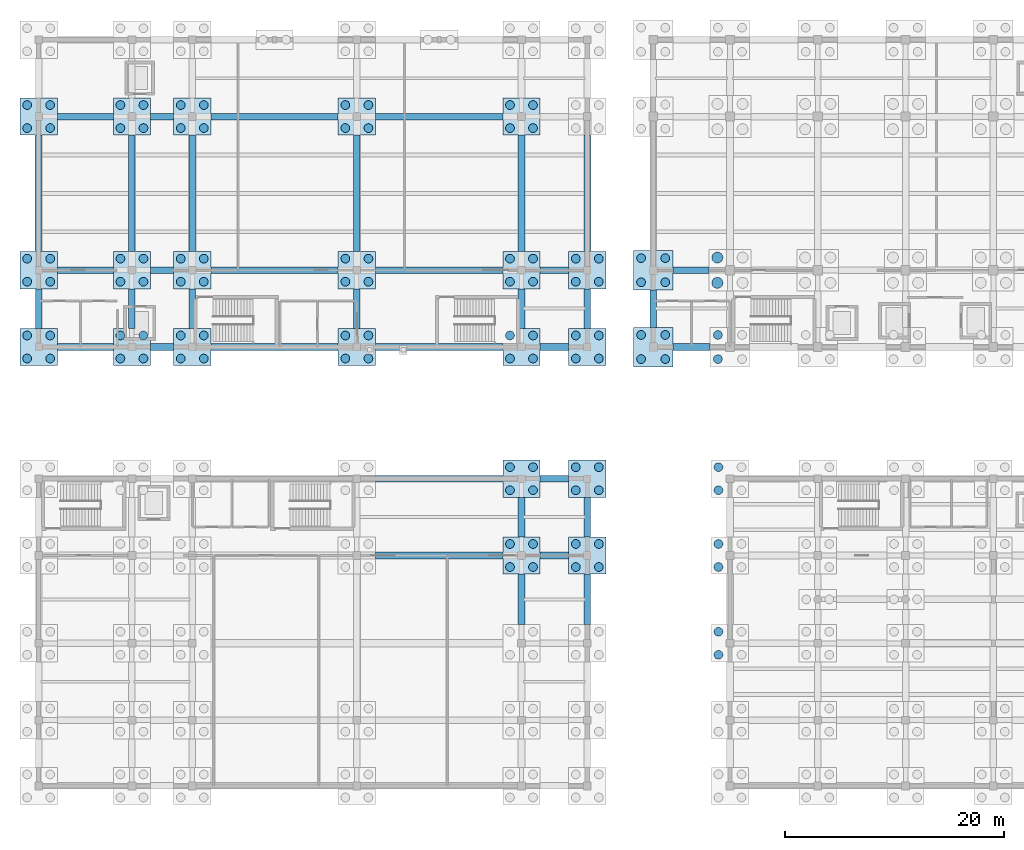
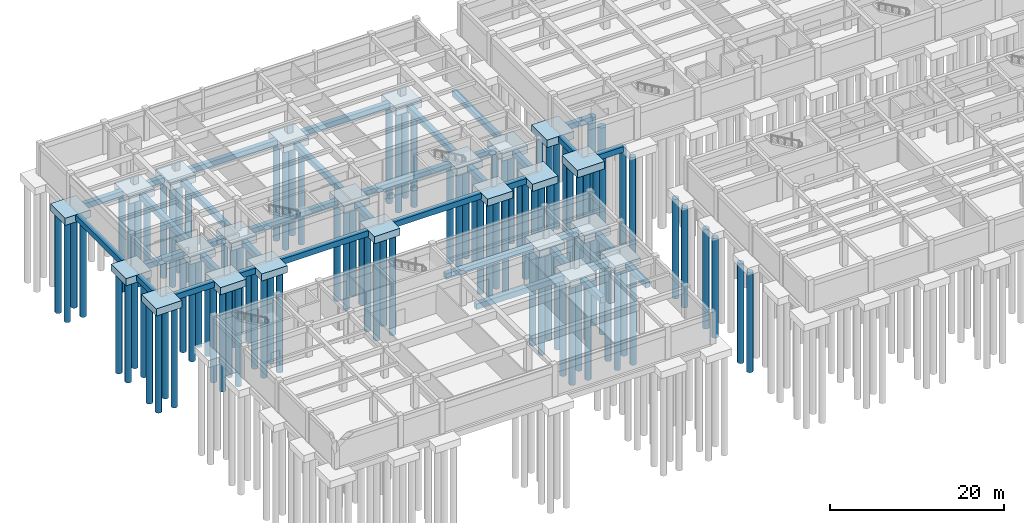
# One storey, part 2 of 28: 102 piles, 60 footings.
"""IFC4 building model written with IfcOpenShell, lengths in metres."""

from ifc_helpers import new_model, si_unit, direction, frame, origin, origin_2d, place, context, subcontext, project, spatial, rectangle, circle, extrude, material, material_profile, profile_set, type_object, element, save


model = new_model("IFC4")

# Units and contexts
model_context = context("Model", 3, precision=1e-05, world=origin(), true_north=direction((0.0, 1.0)))
body_context = subcontext(model_context, "Body", "Model", "MODEL_VIEW")
ifc_project = project(units=[si_unit("LENGTHUNIT", "METRE"), si_unit("AREAUNIT", "SQUARE_METRE"), si_unit("VOLUMEUNIT", "CUBIC_METRE"), si_unit("PLANEANGLEUNIT", "RADIAN"), si_unit("MASSUNIT", "GRAM", prefix="KILO")], contexts=[model_context])

# Site, building, storey
site_placement = place(None, origin())
site = spatial("IfcSite", under=ifc_project, at=site_placement, CompositionType="ELEMENT")
building_placement = place(site_placement, origin())
building = spatial("IfcBuilding", under=site, at=building_placement, Name="Naurynzar Civic Courthouse", CompositionType="ELEMENT")
storey_placement = place(building_placement, frame((0.0, 0.0, -4.5)))
storey = spatial("IfcBuildingStorey", under=building, at=storey_placement, Name="B01", CompositionType="ELEMENT", Elevation=-4.5)

# Footings
ifc_material_1 = material(Name="Concrete C35/45", Category="concrete")
footing_type_1 = type_object("IfcFootingType", Name="CAP-4A-3400", PredefinedType="PILE_CAP", material=ifc_material_1)
for number, where, z_axis, x_axis, name in (
    (1, (6.0, 44.0, -1.39990234375), (0.0, 0.0, 1.0), (1.0, 0.0, 0.0), "V1 pile cap 1"),
    (2, (6.0, 51.0, -1.39990234375), (0.0, 0.0, 1.0), (1.0, 0.0, 0.0), "V1 pile cap 2"),
    (3, (6.0, 65.0, -1.39990234375), (0.0, 0.0, 1.0), (1.0, 0.0, 0.0), "V1 pile cap 3"),
    (4, (14.5, 44.0, -1.39990234375), (0.0, 0.0, 1.0), (1.0, 0.0, 0.0), "V1 pile cap 5"),
    (5, (14.5, 51.0, -1.39990234375), (0.0, 0.0, 1.0), (1.0, 0.0, 0.0), "V1 pile cap 6"),
    (6, (14.5, 65.0, -1.39990234375), (0.0, 0.0, 1.0), (1.0, 0.0, 0.0), "V1 pile cap 7"),
    (7, (20.0, 44.0, -1.39990234375), (0.0, 0.0, 1.0), (1.0, 0.0, 0.0), "V1 pile cap 9"),
    (8, (20.0, 51.0, -1.39990234375), (0.0, 0.0, 1.0), (1.0, 0.0, 0.0), "V1 pile cap 10"),
    (9, (20.0, 65.0, -1.39990234375), (0.0, 0.0, 1.0), (1.0, 0.0, 0.0), "V1 pile cap 11"),
    (10, (35.0, 44.0, -1.39990234375), (0.0, 0.0, 1.0), (1.0, 0.0, 0.0), "V1 pile cap 13"),
    (11, (35.0, 51.0, -1.39990234375), (0.0, 0.0, 1.0), (1.0, 0.0, 0.0), "V1 pile cap 14"),
    (12, (35.0, 65.0, -1.39990234375), (0.0, 0.0, 1.0), (1.0, 0.0, 0.0), "V1 pile cap 15"),
    (13, (50.0, 44.0, -1.39990234375), (0.0, 0.0, 1.0), (1.0, 0.0, 0.0), "V1 pile cap 17"),
    (14, (50.0, 51.0, -1.39990234375), (0.0, 0.0, 1.0), (1.0, 0.0, 0.0), "V1 pile cap 18"),
    (15, (50.0, 65.0, -1.39990234375), (0.0, 0.0, 1.0), (1.0, 0.0, 0.0), "V1 pile cap 19"),
    (16, (56.0, 44.0, -1.39990234375), (0.0, 0.0, 1.0), (1.0, 0.0, 0.0), "V1 pile cap 21"),
    (17, (56.0, 51.0, -1.39990234375), (0.0, 0.0, 1.0), (1.0, 0.0, 0.0), "V1 pile cap 22"),
    (18, (50.0, 25.0, -1.39990234375), (0.0, 0.0, 1.0), (1.0, 0.0, 0.0), "V4 pile cap 23"),
    (19, (50.0, 32.0, -1.39990234375), (0.0, 0.0, 1.0), (1.0, 0.0, 0.0), "V4 pile cap 24"),
    (20, (56.0, 25.0, -1.39990234375), (0.0, 0.0, 1.0), (1.0, 0.0, 0.0), "V4 pile cap 28"),
    (21, (56.0, 32.0, -1.39990234375), (0.0, 0.0, 1.0), (1.0, 0.0, 0.0), "V4 pile cap 29"),
):
    element("IfcFooting", number, at=place(storey_placement, frame(where, z_axis=z_axis, x_axis=x_axis)), inside=storey, type_object=footing_type_1, Name=name, PredefinedType="PILE_CAP", context=body_context, shape_type="SweptSolid", body=[
        extrude(rectangle(XDim=3.39990234375, YDim=3.39990234375, at=origin_2d()), origin(), (0.0, 0.0, 1.0), 1.0),
    ])
ifc_material_2 = material(Name="Concrete C35/45", Category="concrete")
footing_type_2 = type_object("IfcFootingType", Name="CAP-4C-3600", PredefinedType="PILE_CAP", material=ifc_material_2)
for number, where, z_axis, x_axis, name in (
    (22, (62.0, 44.0, -1.5), (0.0, 0.0, 1.0), (1.0, 0.0, 0.0), "V2 pile cap 1"),
    (23, (62.0, 51.0, -1.5), (0.0, 0.0, 1.0), (1.0, 0.0, 0.0), "V2 pile cap 2"),
):
    element("IfcFooting", number, at=place(storey_placement, frame(where, z_axis=z_axis, x_axis=x_axis)), inside=storey, type_object=footing_type_2, Name=name, PredefinedType="PILE_CAP", context=body_context, shape_type="SweptSolid", body=[
        extrude(rectangle(XDim=3.60009765625, YDim=3.60009765625, at=origin_2d()), origin(), (0.0, 0.0, 1.0), 1.050048828125),
    ])
ifc_material_3 = material(Name="Concrete C35/45", Category="concrete")
ifc_material_profile_1 = material_profile(ifc_material_3, rectangle(XDim=0.60009765625, YDim=0.800048828125, at=origin_2d()), Name="GB 600x800")
ifc_profile_set_1 = profile_set([ifc_material_profile_1], Name="Concrete C35/45")
footing_type_3 = type_object("IfcFootingType", Name="GB-600x800", PredefinedType="FOOTING_BEAM", material=ifc_profile_set_1)
footing_1_placement = place(storey_placement, frame((7.699951171875, 44.0, -0.800048828125), z_axis=(1.0, 0.0, 0.0), x_axis=(0.0, 1.0, 0.0)))
element("IfcFooting", 24, at=footing_1_placement, inside=storey, type_object=footing_type_3, Name="V1 ground tie beam X-1", PredefinedType="FOOTING_BEAM", context=body_context, shape_type="SweptSolid", body=[
    extrude(rectangle(XDim=0.60009765625, YDim=0.800048828125, at=origin_2d()), origin(), (0.0, 0.0, 1.0), 5.10009765625),
])
footing_2_placement = place(storey_placement, frame((16.199951171875, 44.0, -0.800048828125), z_axis=(1.0, 0.0, 0.0), x_axis=(0.0, 1.0, 0.0)))
element("IfcFooting", 25, at=footing_2_placement, inside=storey, type_object=footing_type_3, Name="V1 ground tie beam X-2", PredefinedType="FOOTING_BEAM", context=body_context, shape_type="SweptSolid", body=[
    extrude(rectangle(XDim=0.60009765625, YDim=0.800048828125, at=origin_2d()), origin(), (0.0, 0.0, 1.0), 2.10009765625),
])
for number, where, z_axis, x_axis, name in (
    (26, (21.699951171875, 44.0, -0.800048828125), (1.0, 0.0, 0.0), (0.0, 1.0, 0.0), "V1 ground tie beam X-3"),
    (27, (36.699951171875, 44.0, -0.800048828125), (1.0, 0.0, 0.0), (0.0, 1.0, 0.0), "V1 ground tie beam X-4"),
):
    element("IfcFooting", number, at=place(storey_placement, frame(where, z_axis=z_axis, x_axis=x_axis)), inside=storey, type_object=footing_type_3, Name=name, PredefinedType="FOOTING_BEAM", context=body_context, shape_type="SweptSolid", body=[
        extrude(rectangle(XDim=0.60009765625, YDim=0.800048828125, at=origin_2d()), origin(), (0.0, 0.0, 1.0), 11.60009765625),
    ])
footing_3_placement = place(storey_placement, frame((51.699951171875, 44.0, -0.800048828125), z_axis=(1.0, 0.0, 0.0), x_axis=(0.0, 1.0, 0.0)))
element("IfcFooting", 28, at=footing_3_placement, inside=storey, type_object=footing_type_3, Name="V1 ground tie beam X-5", PredefinedType="FOOTING_BEAM", context=body_context, shape_type="SweptSolid", body=[
    extrude(rectangle(XDim=0.60009765625, YDim=0.800048828125, at=origin_2d()), origin(), (0.0, 0.0, 1.0), 2.60009765625),
])
footing_4_placement = place(storey_placement, frame((7.699951171875, 51.0, -0.800048828125), z_axis=(1.0, 0.0, 0.0), x_axis=(0.0, 1.0, 0.0)))
element("IfcFooting", 29, at=footing_4_placement, inside=storey, type_object=footing_type_3, Name="V1 ground tie beam X-6", PredefinedType="FOOTING_BEAM", context=body_context, shape_type="SweptSolid", body=[
    extrude(rectangle(XDim=0.60009765625, YDim=0.800048828125, at=origin_2d()), origin(), (0.0, 0.0, 1.0), 5.10009765625),
])
footing_5_placement = place(storey_placement, frame((16.199951171875, 51.0, -0.800048828125), z_axis=(1.0, 0.0, 0.0), x_axis=(0.0, 1.0, 0.0)))
element("IfcFooting", 30, at=footing_5_placement, inside=storey, type_object=footing_type_3, Name="V1 ground tie beam X-7", PredefinedType="FOOTING_BEAM", context=body_context, shape_type="SweptSolid", body=[
    extrude(rectangle(XDim=0.60009765625, YDim=0.800048828125, at=origin_2d()), origin(), (0.0, 0.0, 1.0), 2.10009765625),
])
for number, where, z_axis, x_axis, name in (
    (31, (21.699951171875, 51.0, -0.800048828125), (1.0, 0.0, 0.0), (0.0, 1.0, 0.0), "V1 ground tie beam X-8"),
    (32, (36.699951171875, 51.0, -0.800048828125), (1.0, 0.0, 0.0), (0.0, 1.0, 0.0), "V1 ground tie beam X-9"),
):
    element("IfcFooting", number, at=place(storey_placement, frame(where, z_axis=z_axis, x_axis=x_axis)), inside=storey, type_object=footing_type_3, Name=name, PredefinedType="FOOTING_BEAM", context=body_context, shape_type="SweptSolid", body=[
        extrude(rectangle(XDim=0.60009765625, YDim=0.800048828125, at=origin_2d()), origin(), (0.0, 0.0, 1.0), 11.60009765625),
    ])
footing_6_placement = place(storey_placement, frame((51.699951171875, 51.0, -0.800048828125), z_axis=(1.0, 0.0, 0.0), x_axis=(0.0, 1.0, 0.0)))
element("IfcFooting", 33, at=footing_6_placement, inside=storey, type_object=footing_type_3, Name="V1 ground tie beam X-10", PredefinedType="FOOTING_BEAM", context=body_context, shape_type="SweptSolid", body=[
    extrude(rectangle(XDim=0.60009765625, YDim=0.800048828125, at=origin_2d()), origin(), (0.0, 0.0, 1.0), 2.60009765625),
])
footing_7_placement = place(storey_placement, frame((7.699951171875, 65.0, -0.800048828125), z_axis=(1.0, 0.0, 0.0), x_axis=(0.0, 1.0, 0.0)))
element("IfcFooting", 34, at=footing_7_placement, inside=storey, type_object=footing_type_3, Name="V1 ground tie beam X-11", PredefinedType="FOOTING_BEAM", context=body_context, shape_type="SweptSolid", body=[
    extrude(rectangle(XDim=0.60009765625, YDim=0.800048828125, at=origin_2d()), origin(), (0.0, 0.0, 1.0), 5.10009765625),
])
footing_8_placement = place(storey_placement, frame((16.199951171875, 65.0, -0.800048828125), z_axis=(1.0, 0.0, 0.0), x_axis=(0.0, 1.0, 0.0)))
element("IfcFooting", 35, at=footing_8_placement, inside=storey, type_object=footing_type_3, Name="V1 ground tie beam X-12", PredefinedType="FOOTING_BEAM", context=body_context, shape_type="SweptSolid", body=[
    extrude(rectangle(XDim=0.60009765625, YDim=0.800048828125, at=origin_2d()), origin(), (0.0, 0.0, 1.0), 2.10009765625),
])
for number, where, z_axis, x_axis, name in (
    (36, (21.699951171875, 65.0, -0.800048828125), (1.0, 0.0, 0.0), (0.0, 1.0, 0.0), "V1 ground tie beam X-13"),
    (37, (36.699951171875, 65.0, -0.800048828125), (1.0, 0.0, 0.0), (0.0, 1.0, 0.0), "V1 ground tie beam X-14"),
):
    element("IfcFooting", number, at=place(storey_placement, frame(where, z_axis=z_axis, x_axis=x_axis)), inside=storey, type_object=footing_type_3, Name=name, PredefinedType="FOOTING_BEAM", context=body_context, shape_type="SweptSolid", body=[
        extrude(rectangle(XDim=0.60009765625, YDim=0.800048828125, at=origin_2d()), origin(), (0.0, 0.0, 1.0), 11.60009765625),
    ])
footing_9_placement = place(storey_placement, frame((6.0, 45.699951171875, -0.800048828125), z_axis=(0.0, 1.0, 0.0), x_axis=(-1.0, 0.0, 0.0)))
element("IfcFooting", 38, at=footing_9_placement, inside=storey, type_object=footing_type_3, Name="V1 ground tie beam Y-23", PredefinedType="FOOTING_BEAM", context=body_context, shape_type="SweptSolid", body=[
    extrude(rectangle(XDim=0.60009765625, YDim=0.800048828125, at=origin_2d()), origin(), (0.0, 0.0, 1.0), 3.60009765625),
])
footing_10_placement = place(storey_placement, frame((6.0, 52.699951171875, -0.800048828125), z_axis=(0.0, 1.0, 0.0), x_axis=(-1.0, 0.0, 0.0)))
element("IfcFooting", 39, at=footing_10_placement, inside=storey, type_object=footing_type_3, Name="V1 ground tie beam Y-24", PredefinedType="FOOTING_BEAM", context=body_context, shape_type="SweptSolid", body=[
    extrude(rectangle(XDim=0.60009765625, YDim=0.800048828125, at=origin_2d()), origin(), (0.0, 0.0, 1.0), 10.60009765625),
])
footing_11_placement = place(storey_placement, frame((14.5, 45.699951171875, -0.800048828125), z_axis=(0.0, 1.0, 0.0), x_axis=(-1.0, 0.0, 0.0)))
element("IfcFooting", 40, at=footing_11_placement, inside=storey, type_object=footing_type_3, Name="V1 ground tie beam Y-26", PredefinedType="FOOTING_BEAM", context=body_context, shape_type="SweptSolid", body=[
    extrude(rectangle(XDim=0.60009765625, YDim=0.800048828125, at=origin_2d()), origin(), (0.0, 0.0, 1.0), 3.60009765625),
])
footing_12_placement = place(storey_placement, frame((14.5, 52.699951171875, -0.800048828125), z_axis=(0.0, 1.0, 0.0), x_axis=(-1.0, 0.0, 0.0)))
element("IfcFooting", 41, at=footing_12_placement, inside=storey, type_object=footing_type_3, Name="V1 ground tie beam Y-27", PredefinedType="FOOTING_BEAM", context=body_context, shape_type="SweptSolid", body=[
    extrude(rectangle(XDim=0.60009765625, YDim=0.800048828125, at=origin_2d()), origin(), (0.0, 0.0, 1.0), 10.60009765625),
])
footing_13_placement = place(storey_placement, frame((20.0, 45.699951171875, -0.800048828125), z_axis=(0.0, 1.0, 0.0), x_axis=(-1.0, 0.0, 0.0)))
element("IfcFooting", 42, at=footing_13_placement, inside=storey, type_object=footing_type_3, Name="V1 ground tie beam Y-29", PredefinedType="FOOTING_BEAM", context=body_context, shape_type="SweptSolid", body=[
    extrude(rectangle(XDim=0.60009765625, YDim=0.800048828125, at=origin_2d()), origin(), (0.0, 0.0, 1.0), 3.60009765625),
])
footing_14_placement = place(storey_placement, frame((20.0, 52.699951171875, -0.800048828125), z_axis=(0.0, 1.0, 0.0), x_axis=(-1.0, 0.0, 0.0)))
element("IfcFooting", 43, at=footing_14_placement, inside=storey, type_object=footing_type_3, Name="V1 ground tie beam Y-30", PredefinedType="FOOTING_BEAM", context=body_context, shape_type="SweptSolid", body=[
    extrude(rectangle(XDim=0.60009765625, YDim=0.800048828125, at=origin_2d()), origin(), (0.0, 0.0, 1.0), 10.60009765625),
])
footing_15_placement = place(storey_placement, frame((35.0, 45.699951171875, -0.800048828125), z_axis=(0.0, 1.0, 0.0), x_axis=(-1.0, 0.0, 0.0)))
element("IfcFooting", 44, at=footing_15_placement, inside=storey, type_object=footing_type_3, Name="V1 ground tie beam Y-32", PredefinedType="FOOTING_BEAM", context=body_context, shape_type="SweptSolid", body=[
    extrude(rectangle(XDim=0.60009765625, YDim=0.800048828125, at=origin_2d()), origin(), (0.0, 0.0, 1.0), 3.60009765625),
])
footing_16_placement = place(storey_placement, frame((35.0, 52.699951171875, -0.800048828125), z_axis=(0.0, 1.0, 0.0), x_axis=(-1.0, 0.0, 0.0)))
element("IfcFooting", 45, at=footing_16_placement, inside=storey, type_object=footing_type_3, Name="V1 ground tie beam Y-33", PredefinedType="FOOTING_BEAM", context=body_context, shape_type="SweptSolid", body=[
    extrude(rectangle(XDim=0.60009765625, YDim=0.800048828125, at=origin_2d()), origin(), (0.0, 0.0, 1.0), 10.60009765625),
])
footing_17_placement = place(storey_placement, frame((50.0, 45.699951171875, -0.800048828125), z_axis=(0.0, 1.0, 0.0), x_axis=(-1.0, 0.0, 0.0)))
element("IfcFooting", 46, at=footing_17_placement, inside=storey, type_object=footing_type_3, Name="V1 ground tie beam Y-35", PredefinedType="FOOTING_BEAM", context=body_context, shape_type="SweptSolid", body=[
    extrude(rectangle(XDim=0.60009765625, YDim=0.800048828125, at=origin_2d()), origin(), (0.0, 0.0, 1.0), 3.60009765625),
])
footing_18_placement = place(storey_placement, frame((50.0, 52.699951171875, -0.800048828125), z_axis=(0.0, 1.0, 0.0), x_axis=(-1.0, 0.0, 0.0)))
element("IfcFooting", 47, at=footing_18_placement, inside=storey, type_object=footing_type_3, Name="V1 ground tie beam Y-36", PredefinedType="FOOTING_BEAM", context=body_context, shape_type="SweptSolid", body=[
    extrude(rectangle(XDim=0.60009765625, YDim=0.800048828125, at=origin_2d()), origin(), (0.0, 0.0, 1.0), 10.60009765625),
])
footing_19_placement = place(storey_placement, frame((56.0, 45.699951171875, -0.800048828125), z_axis=(0.0, 1.0, 0.0), x_axis=(-1.0, 0.0, 0.0)))
element("IfcFooting", 48, at=footing_19_placement, inside=storey, type_object=footing_type_3, Name="V1 ground tie beam Y-38", PredefinedType="FOOTING_BEAM", context=body_context, shape_type="SweptSolid", body=[
    extrude(rectangle(XDim=0.60009765625, YDim=0.800048828125, at=origin_2d()), origin(), (0.0, 0.0, 1.0), 3.60009765625),
])
footing_20_placement = place(storey_placement, frame((56.0, 52.699951171875, -0.800048828125), z_axis=(0.0, 1.0, 0.0), x_axis=(-1.0, 0.0, 0.0)))
element("IfcFooting", 49, at=footing_20_placement, inside=storey, type_object=footing_type_3, Name="V1 ground tie beam Y-39", PredefinedType="FOOTING_BEAM", context=body_context, shape_type="SweptSolid", body=[
    extrude(rectangle(XDim=0.60009765625, YDim=0.800048828125, at=origin_2d()), origin(), (0.0, 0.0, 1.0), 10.60009765625),
])
footing_21_placement = place(storey_placement, frame((63.800048828125, 44.0, -0.85009765625), z_axis=(1.0, 0.0, 0.0), x_axis=(0.0, 1.0, 0.0)))
element("IfcFooting", 50, at=footing_21_placement, inside=storey, type_object=footing_type_3, Name="V2 ground tie beam X-1", PredefinedType="FOOTING_BEAM", context=body_context, shape_type="SweptSolid", body=[
    extrude(rectangle(XDim=0.60009765625, YDim=0.800048828125, at=origin_2d()), origin(), (0.0, 0.0, 1.0), 3.39990234375),
])
footing_22_placement = place(storey_placement, frame((63.800048828125, 51.0, -0.85009765625), z_axis=(1.0, 0.0, 0.0), x_axis=(0.0, 1.0, 0.0)))
element("IfcFooting", 51, at=footing_22_placement, inside=storey, type_object=footing_type_3, Name="V2 ground tie beam X-9", PredefinedType="FOOTING_BEAM", context=body_context, shape_type="SweptSolid", body=[
    extrude(rectangle(XDim=0.60009765625, YDim=0.800048828125, at=origin_2d()), origin(), (0.0, 0.0, 1.0), 3.300048828125),
])
footing_23_placement = place(storey_placement, frame((62.0, 45.800048828125, -0.85009765625), z_axis=(0.0, 1.0, 0.0), x_axis=(-1.0, 0.0, 0.0)))
element("IfcFooting", 52, at=footing_23_placement, inside=storey, type_object=footing_type_3, Name="V2 ground tie beam Y-33", PredefinedType="FOOTING_BEAM", context=body_context, shape_type="SweptSolid", body=[
    extrude(rectangle(XDim=0.60009765625, YDim=0.800048828125, at=origin_2d()), origin(), (0.0, 0.0, 1.0), 3.39990234375),
])
footing_24_placement = place(storey_placement, frame((36.699951171875, 25.0, -0.800048828125), z_axis=(1.0, 0.0, 0.0), x_axis=(0.0, 1.0, 0.0)))
element("IfcFooting", 53, at=footing_24_placement, inside=storey, type_object=footing_type_3, Name="V4 ground tie beam X-17", PredefinedType="FOOTING_BEAM", context=body_context, shape_type="SweptSolid", body=[
    extrude(rectangle(XDim=0.60009765625, YDim=0.800048828125, at=origin_2d()), origin(), (0.0, 0.0, 1.0), 11.60009765625),
])
footing_25_placement = place(storey_placement, frame((51.699951171875, 25.0, -0.800048828125), z_axis=(1.0, 0.0, 0.0), x_axis=(0.0, 1.0, 0.0)))
element("IfcFooting", 54, at=footing_25_placement, inside=storey, type_object=footing_type_3, Name="V4 ground tie beam X-18", PredefinedType="FOOTING_BEAM", context=body_context, shape_type="SweptSolid", body=[
    extrude(rectangle(XDim=0.60009765625, YDim=0.800048828125, at=origin_2d()), origin(), (0.0, 0.0, 1.0), 2.60009765625),
])
footing_26_placement = place(storey_placement, frame((36.699951171875, 32.0, -0.800048828125), z_axis=(1.0, 0.0, 0.0), x_axis=(0.0, 1.0, 0.0)))
element("IfcFooting", 55, at=footing_26_placement, inside=storey, type_object=footing_type_3, Name="V4 ground tie beam X-22", PredefinedType="FOOTING_BEAM", context=body_context, shape_type="SweptSolid", body=[
    extrude(rectangle(XDim=0.60009765625, YDim=0.800048828125, at=origin_2d()), origin(), (0.0, 0.0, 1.0), 11.60009765625),
])
footing_27_placement = place(storey_placement, frame((51.699951171875, 32.0, -0.800048828125), z_axis=(1.0, 0.0, 0.0), x_axis=(0.0, 1.0, 0.0)))
element("IfcFooting", 56, at=footing_27_placement, inside=storey, type_object=footing_type_3, Name="V4 ground tie beam X-23", PredefinedType="FOOTING_BEAM", context=body_context, shape_type="SweptSolid", body=[
    extrude(rectangle(XDim=0.60009765625, YDim=0.800048828125, at=origin_2d()), origin(), (0.0, 0.0, 1.0), 2.60009765625),
])
footing_28_placement = place(storey_placement, frame((50.0, 18.699951171875, -0.800048828125), z_axis=(0.0, 1.0, 0.0), x_axis=(-1.0, 0.0, 0.0)))
element("IfcFooting", 57, at=footing_28_placement, inside=storey, type_object=footing_type_3, Name="V4 ground tie beam Y-41", PredefinedType="FOOTING_BEAM", context=body_context, shape_type="SweptSolid", body=[
    extrude(rectangle(XDim=0.60009765625, YDim=0.800048828125, at=origin_2d()), origin(), (0.0, 0.0, 1.0), 4.60009765625),
])
footing_29_placement = place(storey_placement, frame((50.0, 26.699951171875, -0.800048828125), z_axis=(0.0, 1.0, 0.0), x_axis=(-1.0, 0.0, 0.0)))
element("IfcFooting", 58, at=footing_29_placement, inside=storey, type_object=footing_type_3, Name="V4 ground tie beam Y-42", PredefinedType="FOOTING_BEAM", context=body_context, shape_type="SweptSolid", body=[
    extrude(rectangle(XDim=0.60009765625, YDim=0.800048828125, at=origin_2d()), origin(), (0.0, 0.0, 1.0), 3.60009765625),
])
footing_30_placement = place(storey_placement, frame((56.0, 18.699951171875, -0.800048828125), z_axis=(0.0, 1.0, 0.0), x_axis=(-1.0, 0.0, 0.0)))
element("IfcFooting", 59, at=footing_30_placement, inside=storey, type_object=footing_type_3, Name="V4 ground tie beam Y-45", PredefinedType="FOOTING_BEAM", context=body_context, shape_type="SweptSolid", body=[
    extrude(rectangle(XDim=0.60009765625, YDim=0.800048828125, at=origin_2d()), origin(), (0.0, 0.0, 1.0), 4.60009765625),
])
footing_31_placement = place(storey_placement, frame((56.0, 26.699951171875, -0.800048828125), z_axis=(0.0, 1.0, 0.0), x_axis=(-1.0, 0.0, 0.0)))
element("IfcFooting", 60, at=footing_31_placement, inside=storey, type_object=footing_type_3, Name="V4 ground tie beam Y-46", PredefinedType="FOOTING_BEAM", context=body_context, shape_type="SweptSolid", body=[
    extrude(rectangle(XDim=0.60009765625, YDim=0.800048828125, at=origin_2d()), origin(), (0.0, 0.0, 1.0), 3.60009765625),
])

# Piles
ifc_material_4 = material(Name="Concrete C35/45", Category="concrete")
ifc_material_profile_2 = material_profile(ifc_material_4, circle(Radius=0.5, at=origin_2d()), Name="PILE D1000")
ifc_profile_set_2 = profile_set([ifc_material_profile_2], Name="Concrete C35/45")
pile_type_1 = type_object("IfcPileType", Name="PILE-BORED-D1000", PredefinedType="BORED", material=ifc_profile_set_2)
for number, where, z_axis, x_axis, name in (
    (61, (67.85009765625, 49.85009765625, -1.449951171875), (0.0, 0.0, -1.0), (1.0, 0.0, 0.0), "V2 bored pile 6.1"),
    (62, (67.85009765625, 52.14990234375, -1.449951171875), (0.0, 0.0, -1.0), (1.0, 0.0, 0.0), "V2 bored pile 6.3"),
):
    element("IfcPile", number, at=place(storey_placement, frame(where, z_axis=z_axis, x_axis=x_axis)), inside=storey, type_object=pile_type_1, Name=name, PredefinedType="BORED", context=body_context, shape_type="SweptSolid", body=[
        extrude(circle(Radius=0.5, at=origin_2d()), origin(), (0.0, 0.0, 1.0), 17.0),
    ])
ifc_material_5 = material(Name="Concrete C35/45", Category="concrete")
ifc_material_profile_3 = material_profile(ifc_material_5, circle(Radius=0.39990234375, at=origin_2d()), Name="PILE D800")
ifc_profile_set_3 = profile_set([ifc_material_profile_3], Name="Concrete C35/45")
pile_type_2 = type_object("IfcPileType", Name="PILE-BORED-D800", PredefinedType="BORED", material=ifc_profile_set_3)
for number, where, z_axis, x_axis, name in (
    (63, (4.949951171875, 42.949951171875, -1.39990234375), (0.0, 0.0, -1.0), (1.0, 0.0, 0.0), "V1 bored pile 1.1"),
    (64, (7.050048828125, 42.949951171875, -1.39990234375), (0.0, 0.0, -1.0), (1.0, 0.0, 0.0), "V1 bored pile 1.2"),
    (65, (4.949951171875, 45.050048828125, -1.39990234375), (0.0, 0.0, -1.0), (1.0, 0.0, 0.0), "V1 bored pile 1.3"),
    (66, (7.050048828125, 45.050048828125, -1.39990234375), (0.0, 0.0, -1.0), (1.0, 0.0, 0.0), "V1 bored pile 1.4"),
    (67, (4.949951171875, 49.949951171875, -1.39990234375), (0.0, 0.0, -1.0), (1.0, 0.0, 0.0), "V1 bored pile 2.1"),
    (68, (7.050048828125, 49.949951171875, -1.39990234375), (0.0, 0.0, -1.0), (1.0, 0.0, 0.0), "V1 bored pile 2.2"),
    (69, (4.949951171875, 52.050048828125, -1.39990234375), (0.0, 0.0, -1.0), (1.0, 0.0, 0.0), "V1 bored pile 2.3"),
    (70, (7.050048828125, 52.050048828125, -1.39990234375), (0.0, 0.0, -1.0), (1.0, 0.0, 0.0), "V1 bored pile 2.4"),
    (71, (4.949951171875, 63.949951171875, -1.39990234375), (0.0, 0.0, -1.0), (1.0, 0.0, 0.0), "V1 bored pile 3.1"),
    (72, (7.050048828125, 63.949951171875, -1.39990234375), (0.0, 0.0, -1.0), (1.0, 0.0, 0.0), "V1 bored pile 3.2"),
    (73, (4.949951171875, 66.050048828125, -1.39990234375), (0.0, 0.0, -1.0), (1.0, 0.0, 0.0), "V1 bored pile 3.3"),
    (74, (7.050048828125, 66.050048828125, -1.39990234375), (0.0, 0.0, -1.0), (1.0, 0.0, 0.0), "V1 bored pile 3.4"),
    (75, (13.449951171875, 42.949951171875, -1.39990234375), (0.0, 0.0, -1.0), (1.0, 0.0, 0.0), "V1 bored pile 5.1"),
    (76, (15.550048828125, 42.949951171875, -1.39990234375), (0.0, 0.0, -1.0), (1.0, 0.0, 0.0), "V1 bored pile 5.2"),
    (77, (13.449951171875, 45.050048828125, -1.39990234375), (0.0, 0.0, -1.0), (1.0, 0.0, 0.0), "V1 bored pile 5.3"),
    (78, (15.550048828125, 45.050048828125, -1.39990234375), (0.0, 0.0, -1.0), (1.0, 0.0, 0.0), "V1 bored pile 5.4"),
    (79, (13.449951171875, 49.949951171875, -1.39990234375), (0.0, 0.0, -1.0), (1.0, 0.0, 0.0), "V1 bored pile 6.1"),
    (80, (15.550048828125, 49.949951171875, -1.39990234375), (0.0, 0.0, -1.0), (1.0, 0.0, 0.0), "V1 bored pile 6.2"),
    (81, (13.449951171875, 52.050048828125, -1.39990234375), (0.0, 0.0, -1.0), (1.0, 0.0, 0.0), "V1 bored pile 6.3"),
    (82, (15.550048828125, 52.050048828125, -1.39990234375), (0.0, 0.0, -1.0), (1.0, 0.0, 0.0), "V1 bored pile 6.4"),
    (83, (13.449951171875, 63.949951171875, -1.39990234375), (0.0, 0.0, -1.0), (1.0, 0.0, 0.0), "V1 bored pile 7.1"),
    (84, (15.550048828125, 63.949951171875, -1.39990234375), (0.0, 0.0, -1.0), (1.0, 0.0, 0.0), "V1 bored pile 7.2"),
    (85, (13.449951171875, 66.050048828125, -1.39990234375), (0.0, 0.0, -1.0), (1.0, 0.0, 0.0), "V1 bored pile 7.3"),
    (86, (15.550048828125, 66.050048828125, -1.39990234375), (0.0, 0.0, -1.0), (1.0, 0.0, 0.0), "V1 bored pile 7.4"),
    (87, (18.949951171875, 42.949951171875, -1.39990234375), (0.0, 0.0, -1.0), (1.0, 0.0, 0.0), "V1 bored pile 9.1"),
    (88, (21.050048828125, 42.949951171875, -1.39990234375), (0.0, 0.0, -1.0), (1.0, 0.0, 0.0), "V1 bored pile 9.2"),
    (89, (18.949951171875, 45.050048828125, -1.39990234375), (0.0, 0.0, -1.0), (1.0, 0.0, 0.0), "V1 bored pile 9.3"),
    (90, (21.050048828125, 45.050048828125, -1.39990234375), (0.0, 0.0, -1.0), (1.0, 0.0, 0.0), "V1 bored pile 9.4"),
    (91, (18.949951171875, 49.949951171875, -1.39990234375), (0.0, 0.0, -1.0), (1.0, 0.0, 0.0), "V1 bored pile 10.1"),
    (92, (21.050048828125, 49.949951171875, -1.39990234375), (0.0, 0.0, -1.0), (1.0, 0.0, 0.0), "V1 bored pile 10.2"),
    (93, (18.949951171875, 52.050048828125, -1.39990234375), (0.0, 0.0, -1.0), (1.0, 0.0, 0.0), "V1 bored pile 10.3"),
    (94, (21.050048828125, 52.050048828125, -1.39990234375), (0.0, 0.0, -1.0), (1.0, 0.0, 0.0), "V1 bored pile 10.4"),
    (95, (18.949951171875, 63.949951171875, -1.39990234375), (0.0, 0.0, -1.0), (1.0, 0.0, 0.0), "V1 bored pile 11.1"),
    (96, (21.050048828125, 63.949951171875, -1.39990234375), (0.0, 0.0, -1.0), (1.0, 0.0, 0.0), "V1 bored pile 11.2"),
    (97, (18.949951171875, 66.050048828125, -1.39990234375), (0.0, 0.0, -1.0), (1.0, 0.0, 0.0), "V1 bored pile 11.3"),
    (98, (21.050048828125, 66.050048828125, -1.39990234375), (0.0, 0.0, -1.0), (1.0, 0.0, 0.0), "V1 bored pile 11.4"),
    (99, (33.949951171875, 42.949951171875, -1.39990234375), (0.0, 0.0, -1.0), (1.0, 0.0, 0.0), "V1 bored pile 13.1"),
    (100, (36.050048828125, 42.949951171875, -1.39990234375), (0.0, 0.0, -1.0), (1.0, 0.0, 0.0), "V1 bored pile 13.2"),
    (101, (33.949951171875, 45.050048828125, -1.39990234375), (0.0, 0.0, -1.0), (1.0, 0.0, 0.0), "V1 bored pile 13.3"),
    (102, (36.050048828125, 45.050048828125, -1.39990234375), (0.0, 0.0, -1.0), (1.0, 0.0, 0.0), "V1 bored pile 13.4"),
    (103, (33.949951171875, 49.949951171875, -1.39990234375), (0.0, 0.0, -1.0), (1.0, 0.0, 0.0), "V1 bored pile 14.1"),
    (104, (36.050048828125, 49.949951171875, -1.39990234375), (0.0, 0.0, -1.0), (1.0, 0.0, 0.0), "V1 bored pile 14.2"),
    (105, (33.949951171875, 52.050048828125, -1.39990234375), (0.0, 0.0, -1.0), (1.0, 0.0, 0.0), "V1 bored pile 14.3"),
    (106, (36.050048828125, 52.050048828125, -1.39990234375), (0.0, 0.0, -1.0), (1.0, 0.0, 0.0), "V1 bored pile 14.4"),
    (107, (33.949951171875, 63.949951171875, -1.39990234375), (0.0, 0.0, -1.0), (1.0, 0.0, 0.0), "V1 bored pile 15.1"),
    (108, (36.050048828125, 63.949951171875, -1.39990234375), (0.0, 0.0, -1.0), (1.0, 0.0, 0.0), "V1 bored pile 15.2"),
    (109, (33.949951171875, 66.050048828125, -1.39990234375), (0.0, 0.0, -1.0), (1.0, 0.0, 0.0), "V1 bored pile 15.3"),
    (110, (36.050048828125, 66.050048828125, -1.39990234375), (0.0, 0.0, -1.0), (1.0, 0.0, 0.0), "V1 bored pile 15.4"),
    (111, (48.949951171875, 42.949951171875, -1.39990234375), (0.0, 0.0, -1.0), (1.0, 0.0, 0.0), "V1 bored pile 17.1"),
    (112, (51.050048828125, 42.949951171875, -1.39990234375), (0.0, 0.0, -1.0), (1.0, 0.0, 0.0), "V1 bored pile 17.2"),
    (113, (48.949951171875, 45.050048828125, -1.39990234375), (0.0, 0.0, -1.0), (1.0, 0.0, 0.0), "V1 bored pile 17.3"),
    (114, (51.050048828125, 45.050048828125, -1.39990234375), (0.0, 0.0, -1.0), (1.0, 0.0, 0.0), "V1 bored pile 17.4"),
    (115, (48.949951171875, 49.949951171875, -1.39990234375), (0.0, 0.0, -1.0), (1.0, 0.0, 0.0), "V1 bored pile 18.1"),
    (116, (51.050048828125, 49.949951171875, -1.39990234375), (0.0, 0.0, -1.0), (1.0, 0.0, 0.0), "V1 bored pile 18.2"),
    (117, (48.949951171875, 52.050048828125, -1.39990234375), (0.0, 0.0, -1.0), (1.0, 0.0, 0.0), "V1 bored pile 18.3"),
    (118, (51.050048828125, 52.050048828125, -1.39990234375), (0.0, 0.0, -1.0), (1.0, 0.0, 0.0), "V1 bored pile 18.4"),
    (119, (48.949951171875, 63.949951171875, -1.39990234375), (0.0, 0.0, -1.0), (1.0, 0.0, 0.0), "V1 bored pile 19.1"),
    (120, (51.050048828125, 63.949951171875, -1.39990234375), (0.0, 0.0, -1.0), (1.0, 0.0, 0.0), "V1 bored pile 19.2"),
    (121, (48.949951171875, 66.050048828125, -1.39990234375), (0.0, 0.0, -1.0), (1.0, 0.0, 0.0), "V1 bored pile 19.3"),
    (122, (51.050048828125, 66.050048828125, -1.39990234375), (0.0, 0.0, -1.0), (1.0, 0.0, 0.0), "V1 bored pile 19.4"),
    (123, (54.949951171875, 42.949951171875, -1.39990234375), (0.0, 0.0, -1.0), (1.0, 0.0, 0.0), "V1 bored pile 21.1"),
    (124, (57.050048828125, 42.949951171875, -1.39990234375), (0.0, 0.0, -1.0), (1.0, 0.0, 0.0), "V1 bored pile 21.2"),
    (125, (54.949951171875, 45.050048828125, -1.39990234375), (0.0, 0.0, -1.0), (1.0, 0.0, 0.0), "V1 bored pile 21.3"),
    (126, (57.050048828125, 45.050048828125, -1.39990234375), (0.0, 0.0, -1.0), (1.0, 0.0, 0.0), "V1 bored pile 21.4"),
    (127, (54.949951171875, 49.949951171875, -1.39990234375), (0.0, 0.0, -1.0), (1.0, 0.0, 0.0), "V1 bored pile 22.1"),
    (128, (57.050048828125, 49.949951171875, -1.39990234375), (0.0, 0.0, -1.0), (1.0, 0.0, 0.0), "V1 bored pile 22.2"),
    (129, (54.949951171875, 52.050048828125, -1.39990234375), (0.0, 0.0, -1.0), (1.0, 0.0, 0.0), "V1 bored pile 22.3"),
    (130, (57.050048828125, 52.050048828125, -1.39990234375), (0.0, 0.0, -1.0), (1.0, 0.0, 0.0), "V1 bored pile 22.4"),
    (131, (60.89990234375, 42.89990234375, -1.5), (0.0, 0.0, -1.0), (1.0, 0.0, 0.0), "V2 bored pile 1.1"),
    (132, (63.10009765625, 42.89990234375, -1.5), (0.0, 0.0, -1.0), (1.0, 0.0, 0.0), "V2 bored pile 1.2"),
    (133, (60.89990234375, 45.10009765625, -1.5), (0.0, 0.0, -1.0), (1.0, 0.0, 0.0), "V2 bored pile 1.3"),
    (134, (63.10009765625, 45.10009765625, -1.5), (0.0, 0.0, -1.0), (1.0, 0.0, 0.0), "V2 bored pile 1.4"),
    (135, (60.89990234375, 49.89990234375, -1.5), (0.0, 0.0, -1.0), (1.0, 0.0, 0.0), "V2 bored pile 2.1"),
    (136, (63.10009765625, 49.89990234375, -1.5), (0.0, 0.0, -1.0), (1.0, 0.0, 0.0), "V2 bored pile 2.2"),
    (137, (60.89990234375, 52.10009765625, -1.5), (0.0, 0.0, -1.0), (1.0, 0.0, 0.0), "V2 bored pile 2.3"),
    (138, (63.10009765625, 52.10009765625, -1.5), (0.0, 0.0, -1.0), (1.0, 0.0, 0.0), "V2 bored pile 2.4"),
    (139, (67.89990234375, 42.89990234375, -1.5), (0.0, 0.0, -1.0), (1.0, 0.0, 0.0), "V2 bored pile 5.1"),
    (140, (67.89990234375, 45.10009765625, -1.5), (0.0, 0.0, -1.0), (1.0, 0.0, 0.0), "V2 bored pile 5.3"),
    (141, (67.949951171875, 15.949951171875, -1.39990234375), (0.0, 0.0, -1.0), (1.0, 0.0, 0.0), "V3 bored pile 3.1"),
    (142, (67.949951171875, 18.050048828125, -1.39990234375), (0.0, 0.0, -1.0), (1.0, 0.0, 0.0), "V3 bored pile 3.3"),
    (143, (67.949951171875, 23.949951171875, -1.39990234375), (0.0, 0.0, -1.0), (1.0, 0.0, 0.0), "V3 bored pile 4.1"),
    (144, (67.949951171875, 26.050048828125, -1.39990234375), (0.0, 0.0, -1.0), (1.0, 0.0, 0.0), "V3 bored pile 4.3"),
    (145, (67.949951171875, 30.949951171875, -1.39990234375), (0.0, 0.0, -1.0), (1.0, 0.0, 0.0), "V3 bored pile 5.1"),
    (146, (67.949951171875, 33.050048828125, -1.39990234375), (0.0, 0.0, -1.0), (1.0, 0.0, 0.0), "V3 bored pile 5.3"),
    (147, (48.949951171875, 23.949951171875, -1.39990234375), (0.0, 0.0, -1.0), (1.0, 0.0, 0.0), "V4 bored pile 23.1"),
    (148, (51.050048828125, 23.949951171875, -1.39990234375), (0.0, 0.0, -1.0), (1.0, 0.0, 0.0), "V4 bored pile 23.2"),
    (149, (48.949951171875, 26.050048828125, -1.39990234375), (0.0, 0.0, -1.0), (1.0, 0.0, 0.0), "V4 bored pile 23.3"),
    (150, (51.050048828125, 26.050048828125, -1.39990234375), (0.0, 0.0, -1.0), (1.0, 0.0, 0.0), "V4 bored pile 23.4"),
    (151, (48.949951171875, 30.949951171875, -1.39990234375), (0.0, 0.0, -1.0), (1.0, 0.0, 0.0), "V4 bored pile 24.1"),
    (152, (51.050048828125, 30.949951171875, -1.39990234375), (0.0, 0.0, -1.0), (1.0, 0.0, 0.0), "V4 bored pile 24.2"),
    (153, (48.949951171875, 33.050048828125, -1.39990234375), (0.0, 0.0, -1.0), (1.0, 0.0, 0.0), "V4 bored pile 24.3"),
    (154, (51.050048828125, 33.050048828125, -1.39990234375), (0.0, 0.0, -1.0), (1.0, 0.0, 0.0), "V4 bored pile 24.4"),
    (155, (54.949951171875, 23.949951171875, -1.39990234375), (0.0, 0.0, -1.0), (1.0, 0.0, 0.0), "V4 bored pile 28.1"),
    (156, (57.050048828125, 23.949951171875, -1.39990234375), (0.0, 0.0, -1.0), (1.0, 0.0, 0.0), "V4 bored pile 28.2"),
    (157, (54.949951171875, 26.050048828125, -1.39990234375), (0.0, 0.0, -1.0), (1.0, 0.0, 0.0), "V4 bored pile 28.3"),
    (158, (57.050048828125, 26.050048828125, -1.39990234375), (0.0, 0.0, -1.0), (1.0, 0.0, 0.0), "V4 bored pile 28.4"),
    (159, (54.949951171875, 30.949951171875, -1.39990234375), (0.0, 0.0, -1.0), (1.0, 0.0, 0.0), "V4 bored pile 29.1"),
    (160, (57.050048828125, 30.949951171875, -1.39990234375), (0.0, 0.0, -1.0), (1.0, 0.0, 0.0), "V4 bored pile 29.2"),
    (161, (54.949951171875, 33.050048828125, -1.39990234375), (0.0, 0.0, -1.0), (1.0, 0.0, 0.0), "V4 bored pile 29.3"),
    (162, (57.050048828125, 33.050048828125, -1.39990234375), (0.0, 0.0, -1.0), (1.0, 0.0, 0.0), "V4 bored pile 29.4"),
):
    element("IfcPile", number, at=place(storey_placement, frame(where, z_axis=z_axis, x_axis=x_axis)), inside=storey, type_object=pile_type_2, Name=name, PredefinedType="BORED", context=body_context, shape_type="SweptSolid", body=[
        extrude(circle(Radius=0.39990234375, at=origin_2d()), origin(), (0.0, 0.0, 1.0), 14.0),
    ])

save(model, "model.ifc")
